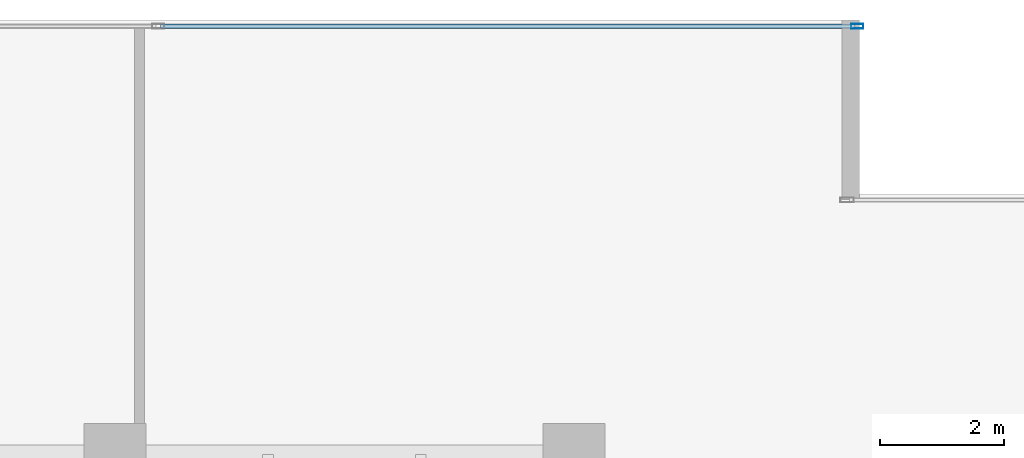
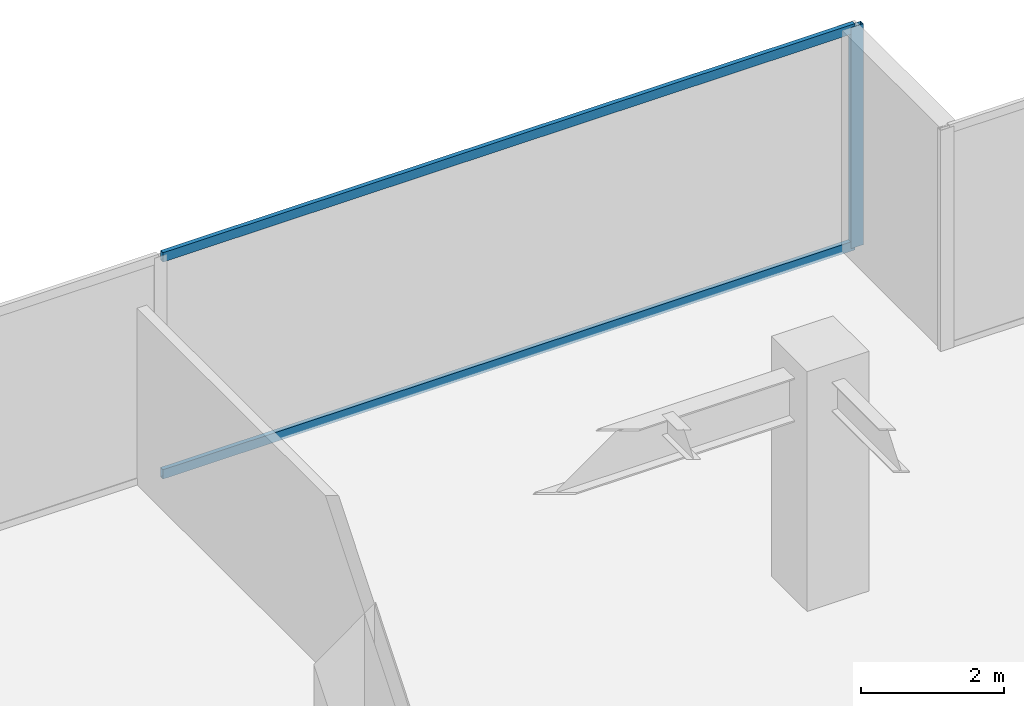
# One storey, part 27 of 35: 3 members, 1 element without a shape of its own.
"""IFC4 building model written with IfcOpenShell, lengths in metres."""

from ifc_helpers import new_model, si_unit, direction, frame, origin, origin_2d, place, context, subcontext, project, spatial, hollow_rectangle, extrude, source, transform, mapped, material, layer, layer_set, material_profile, profile_set, type_object, type_shapes, element, aggregate, save


model = new_model("IFC4")

# Units and contexts
model_context = context("Model", 3, precision=1e-05, world=origin(), true_north=direction((0.0, 1.0)))
body_context = subcontext(model_context, "Body", "Model", "MODEL_VIEW")
ifc_project = project(units=[si_unit("LENGTHUNIT", "METRE"), si_unit("AREAUNIT", "SQUARE_METRE"), si_unit("VOLUMEUNIT", "CUBIC_METRE"), si_unit("PLANEANGLEUNIT", "RADIAN"), si_unit("MASSUNIT", "GRAM", prefix="KILO")], contexts=[model_context])

# Site, building, storey
site_placement = place(None, origin())
site = spatial("IfcSite", under=ifc_project, at=site_placement, CompositionType="ELEMENT")
building_placement = place(site_placement, origin())
building = spatial("IfcBuilding", under=site, at=building_placement, Name="Haelvirn Gate Laboratories", CompositionType="ELEMENT")
storey_placement = place(building_placement, frame((0.0, 0.0, 70.300048828125)))
storey = spatial("IfcBuildingStorey", under=building, at=storey_placement, Name="L17", CompositionType="ELEMENT", Elevation=70.300048828125)

# Curtain wall, members
ifc_material_1 = material(Name="Anodised bronze unitised aluminium & triple low-E glass", Category="aluminium")
ifc_layer = layer(ifc_material_1, 0.18408203125, Name="CW-SYS-2")
ifc_layer_set = layer_set([ifc_layer], Name="Anodised bronze unitised aluminium & triple low-E glass")
curtain_wall_type = type_object("IfcCurtainWallType", Name="CW-SYS-2", PredefinedType="NOTDEFINED", material=ifc_layer_set)
curtain_wall_placement = place(storey_placement, origin())
curtain_wall = element("IfcCurtainWall", 1, at=curtain_wall_placement, inside=storey, type_object=curtain_wall_type, Name="L17 Unitised Curtain Wall CW-L17-P0-E10-1", PredefinedType="NOTDEFINED")
ifc_material_2 = material(Name="Extruded aluminium 6063-T6 (anodised bronze)", Category="aluminium")
ifc_material_profile_1 = material_profile(ifc_material_2, hollow_rectangle(XDim=0.074951171875, YDim=0.199951171875, WallThickness=0.0048828125, at=origin_2d()), Name="CWM-200x75x5")
ifc_profile_set_1 = profile_set([ifc_material_profile_1], Name="Extruded aluminium 6063-T6 (anodised bronze)")
member_type_1 = type_object("IfcMemberType", Name="CWM-T200", PredefinedType="MULLION", material=ifc_profile_set_1)
shared_shape_1 = source(origin(), body_context, "Body", "SweptSolid", [
    extrude(hollow_rectangle(XDim=0.074951171875, YDim=0.199951171875, WallThickness=0.0048828125, at=origin_2d()), origin(), (0.0, 0.0, 1.0), 3.780029296875),
])
type_shapes(member_type_1, [shared_shape_1])
member_1_placement = place(storey_placement, frame((71.96240234375, 48.5, 0.0), z_axis=(0.0, 0.0, 1.0), x_axis=(0.0, 1.0, 0.0)))
member_1 = element("IfcMember", 2, at=member_1_placement, type_object=member_type_1, Name="CW2 mullion 3", PredefinedType="MULLION", context=body_context, shape_type="MappedRepresentation", body=[
    mapped(shared_shape_1, transform((0.0, 0.0, 0.0), scale=1.0)),
])
ifc_material_profile_2 = material_profile(ifc_material_2, hollow_rectangle(XDim=0.070068359375, YDim=0.159912109375, WallThickness=0.0048828125, at=origin_2d()), Name="CWT-160x70x5")
ifc_profile_set_2 = profile_set([ifc_material_profile_2], Name="Extruded aluminium 6063-T6 (anodised bronze)")
member_type_2 = type_object("IfcMemberType", Name="CWT-T160", PredefinedType="USERDEFINED", material=ifc_profile_set_2)
shared_shape_2 = source(origin(), body_context, "Body", "SweptSolid", [
    extrude(hollow_rectangle(XDim=0.070068359375, YDim=0.159912109375, WallThickness=0.0048828125, at=origin_2d()), origin(), (0.0, 0.0, 1.0), 11.1875),
])
type_shapes(member_type_2, [shared_shape_2])
member_2_placement = place(storey_placement, frame((60.737548828125, 48.5, 0.034912109375), z_axis=(1.0, 0.0, 0.0), x_axis=(0.0, 1.0, 0.0)))
member_2 = element("IfcMember", 3, at=member_2_placement, type_object=member_type_2, Name="CW2 transom 2.1", ObjectType="TRANSOM", PredefinedType="USERDEFINED", context=body_context, shape_type="MappedRepresentation", body=[
    mapped(shared_shape_2, transform((0.0, 0.0, 0.0), scale=1.0)),
])
member_3_placement = place(storey_placement, frame((60.737548828125, 48.5, 3.744873046875), z_axis=(1.0, 0.0, 0.0), x_axis=(0.0, 1.0, 0.0)))
member_3 = element("IfcMember", 4, at=member_3_placement, type_object=member_type_2, Name="CW2 transom 2.2", ObjectType="TRANSOM", PredefinedType="USERDEFINED", context=body_context, shape_type="MappedRepresentation", body=[
    mapped(shared_shape_2, transform((0.0, 0.0, 0.0), scale=1.0)),
])
aggregate(curtain_wall, [member_1, member_2, member_3])

save(model, "model.ifc")
